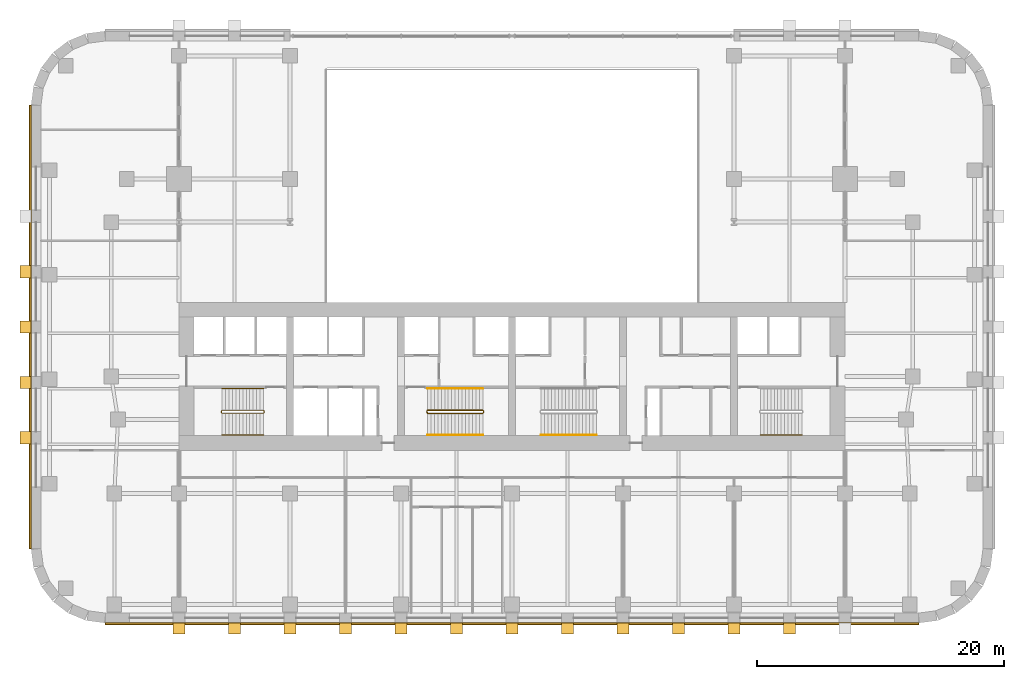
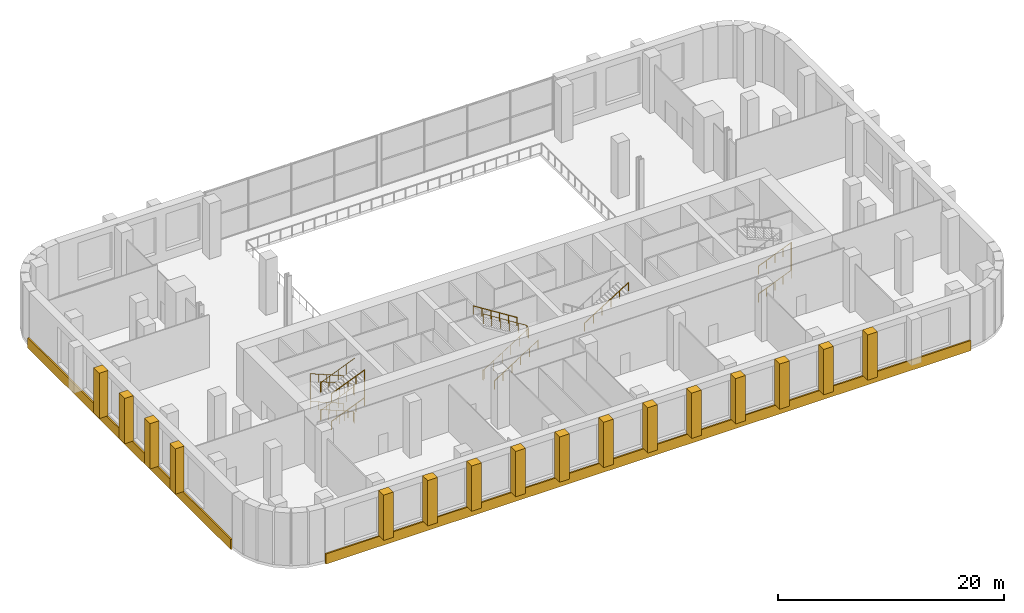
# One storey, part 10 of 13: 18 coverings, 8 railings.
"""IFC4 building model written with IfcOpenShell, lengths in metres."""

from ifc_helpers import new_model, si_unit, direction, frame, origin, origin_2d, place, context, subcontext, project, spatial, polyline, circle, outline, extrude, material, layer, layer_set, type_object, element, save


model = new_model("IFC4")

# Units and contexts
model_context = context("Model", 3, precision=1e-05, world=origin(), true_north=direction((0.0, 1.0)))
body_context = subcontext(model_context, "Body", "Model", "MODEL_VIEW")
ifc_project = project(units=[si_unit("LENGTHUNIT", "METRE"), si_unit("AREAUNIT", "SQUARE_METRE"), si_unit("VOLUMEUNIT", "CUBIC_METRE"), si_unit("PLANEANGLEUNIT", "RADIAN"), si_unit("MASSUNIT", "GRAM", prefix="KILO")], contexts=[model_context])

# Site, building, storey
site_placement = place(None, origin())
site = spatial("IfcSite", under=ifc_project, at=site_placement, CompositionType="ELEMENT")
building_placement = place(site_placement, origin())
building = spatial("IfcBuilding", under=site, at=building_placement, Name="Zellij Exchange Tower", CompositionType="ELEMENT")
storey_placement = place(building_placement, frame((0.0, 0.0, 15.0)))
storey = spatial("IfcBuildingStorey", under=building, at=storey_placement, Name="L02", CompositionType="ELEMENT", Elevation=15.0)

# Railings
ifc_material_1 = material(Name="Stainless steel", Category="steel")
railing_type_1 = type_object("IfcRailingType", Name="CORE-RG stair guard", PredefinedType="GUARDRAIL", material=ifc_material_1)
railing_1_placement = place(storey_placement, frame((-20.10009765625, -10.800048828125, 0.0)))
element("IfcRailing", 1, at=railing_1_placement, inside=storey, type_object=railing_type_1, Name="ST1 stair guard L02", PredefinedType="GUARDRAIL", context=body_context, shape_type="SweptSolid", body=[
    extrude(circle(Radius=0.02392578125, at=origin_2d()), frame((0.0, 0.0, 1.076171875), z_axis=(0.0, -1.0, 0.0), x_axis=(1.0, 0.0, 0.0)), (0.0, 0.0, 1.0), 0.14990234375),
    extrude(circle(Radius=0.02392578125, at=origin_2d()), frame((0.0, -0.14990234375, 1.076171875), z_axis=(-0.210847110147, 0.846489133385, 0.488875897547), x_axis=(-0.970351222016, -0.241699205484, 0.0)), (0.0, 0.0, 1.0), 0.236328125),
    extrude(circle(Radius=0.02392578125, at=origin_2d()), frame((-0.0498046875, 0.050048828125, 1.19140625), z_axis=(-0.924586246868, 0.0, 0.380972797064), x_axis=(0.0, -1.0, 0.0)), (0.0, 0.0, 1.0), 3.63427734375),
    extrude(circle(Radius=0.02392578125, at=origin_2d()), frame((-3.409912109375, 0.050048828125, 2.576171875), z_axis=(-0.707106781187, -0.707106781187, 0.0), x_axis=(0.707106781187, -0.707106781187, 0.0)), (0.0, 0.0, 1.0), 0.07080078125),
    extrude(circle(Radius=0.02392578125, at=origin_2d()), frame((-3.4599609375, 0.0, 2.576171875), z_axis=(0.0, -1.0, 0.0), x_axis=(1.0, 0.0, 0.0)), (0.0, 0.0, 1.0), 0.14990234375),
    extrude(circle(Radius=0.02392578125, at=origin_2d()), frame((-3.4599609375, -0.14990234375, 2.576171875), z_axis=(0.3695169537, -0.3695169537, 0.852592776099), x_axis=(0.707106781187, 0.707106781187, 0.0)), (0.0, 0.0, 1.0), 0.135498046875),
    extrude(circle(Radius=0.02392578125, at=origin_2d()), frame((-3.409912109375, -0.199951171875, 2.69140625), z_axis=(0.924586246868, 0.0, 0.380972797064), x_axis=(0.0, 1.0, 0.0)), (0.0, 0.0, 1.0), 3.63427734375),
    extrude(circle(Radius=0.02392578125, at=origin_2d()), frame((-0.0498046875, -0.199951171875, 4.076171875), z_axis=(0.241699205484, 0.970351222016, 0.0), x_axis=(-0.970351222016, 0.241699205484, 0.0)), (0.0, 0.0, 1.0), 0.2060546875),
    extrude(circle(Radius=0.02392578125, at=origin_2d()), frame((0.0, 0.0, 4.076171875), z_axis=(0.0, -1.0, 0.0), x_axis=(1.0, 0.0, 0.0)), (0.0, 0.0, 1.0), 0.14990234375),
    extrude(circle(Radius=0.02392578125, at=origin_2d()), frame((0.0, -0.14990234375, 4.076171875), z_axis=(-0.210847110147, 0.846489133385, 0.488875897547), x_axis=(-0.970351222016, -0.241699205484, 0.0)), (0.0, 0.0, 1.0), 0.236328125),
    extrude(circle(Radius=0.02392578125, at=origin_2d()), frame((-0.0498046875, 0.050048828125, 4.19140625), z_axis=(-0.924586246868, 0.0, 0.380972797064), x_axis=(0.0, -1.0, 0.0)), (0.0, 0.0, 1.0), 3.63427734375),
    extrude(circle(Radius=0.02392578125, at=origin_2d()), frame((-3.409912109375, 0.050048828125, 5.576171875), z_axis=(-0.707106781187, -0.707106781187, 0.0), x_axis=(0.707106781187, -0.707106781187, 0.0)), (0.0, 0.0, 1.0), 0.07080078125),
    extrude(circle(Radius=0.02392578125, at=origin_2d()), frame((-3.4599609375, 0.0, 5.576171875), z_axis=(0.0, -1.0, 0.0), x_axis=(1.0, 0.0, 0.0)), (0.0, 0.0, 1.0), 0.14990234375),
    extrude(circle(Radius=0.02392578125, at=origin_2d()), frame((-3.4599609375, -0.14990234375, 5.576171875), z_axis=(0.3695169537, -0.3695169537, 0.852592776099), x_axis=(0.707106781187, 0.707106781187, 0.0)), (0.0, 0.0, 1.0), 0.135498046875),
    extrude(circle(Radius=0.02392578125, at=origin_2d()), frame((-3.409912109375, -0.199951171875, 5.69140625), z_axis=(0.924586246868, 0.0, 0.380972797064), x_axis=(0.0, 1.0, 0.0)), (0.0, 0.0, 1.0), 3.63427734375),
    extrude(circle(Radius=0.02099609375, at=origin_2d()), origin(), (0.0, 0.0, 1.0), 1.052001953125),
    extrude(circle(Radius=0.02099609375, at=origin_2d()), frame((0.0, -0.14990234375, 0.0)), (0.0, 0.0, 1.0), 1.052001953125),
    extrude(circle(Radius=0.02099609375, at=origin_2d()), frame((-0.0498046875, 0.050048828125, 0.115478515625)), (0.0, 0.0, 1.0), 1.052001953125),
    extrude(circle(Radius=0.02099609375, at=origin_2d()), frame((-0.889892578125, 0.050048828125, 0.461669921875)), (0.0, 0.0, 1.0), 1.052001953125),
    extrude(circle(Radius=0.02099609375, at=origin_2d()), frame((-1.72998046875, 0.050048828125, 0.8076171875)), (0.0, 0.0, 1.0), 1.052001953125),
    extrude(circle(Radius=0.02099609375, at=origin_2d()), frame((-2.56982421875, 0.050048828125, 1.15380859375)), (0.0, 0.0, 1.0), 1.052001953125),
    extrude(circle(Radius=0.02099609375, at=origin_2d()), frame((-3.409912109375, 0.050048828125, 1.5)), (0.0, 0.0, 1.0), 1.052001953125),
    extrude(circle(Radius=0.02099609375, at=origin_2d()), frame((-3.4599609375, 0.0, 1.5)), (0.0, 0.0, 1.0), 1.052001953125),
    extrude(circle(Radius=0.02099609375, at=origin_2d()), frame((-3.4599609375, -0.14990234375, 1.5)), (0.0, 0.0, 1.0), 1.052001953125),
    extrude(circle(Radius=0.02099609375, at=origin_2d()), frame((-3.409912109375, -0.199951171875, 1.615478515625)), (0.0, 0.0, 1.0), 1.052001953125),
    extrude(circle(Radius=0.02099609375, at=origin_2d()), frame((-2.56982421875, -0.199951171875, 1.961669921875)), (0.0, 0.0, 1.0), 1.052001953125),
    extrude(circle(Radius=0.02099609375, at=origin_2d()), frame((-1.72998046875, -0.199951171875, 2.3076171875)), (0.0, 0.0, 1.0), 1.052001953125),
    extrude(circle(Radius=0.02099609375, at=origin_2d()), frame((-0.889892578125, -0.199951171875, 2.65380859375)), (0.0, 0.0, 1.0), 1.052001953125),
    extrude(circle(Radius=0.02099609375, at=origin_2d()), frame((-0.0498046875, -0.199951171875, 3.0)), (0.0, 0.0, 1.0), 1.052001953125),
    extrude(circle(Radius=0.02099609375, at=origin_2d()), frame((0.0, 0.0, 3.0)), (0.0, 0.0, 1.0), 1.052001953125),
    extrude(circle(Radius=0.02099609375, at=origin_2d()), frame((0.0, -0.14990234375, 3.0)), (0.0, 0.0, 1.0), 1.052001953125),
    extrude(circle(Radius=0.02099609375, at=origin_2d()), frame((-0.0498046875, 0.050048828125, 3.115478515625)), (0.0, 0.0, 1.0), 1.052001953125),
    extrude(circle(Radius=0.02099609375, at=origin_2d()), frame((-0.889892578125, 0.050048828125, 3.461669921875)), (0.0, 0.0, 1.0), 1.052001953125),
    extrude(circle(Radius=0.02099609375, at=origin_2d()), frame((-1.72998046875, 0.050048828125, 3.8076171875)), (0.0, 0.0, 1.0), 1.052001953125),
    extrude(circle(Radius=0.02099609375, at=origin_2d()), frame((-2.56982421875, 0.050048828125, 4.15380859375)), (0.0, 0.0, 1.0), 1.052001953125),
    extrude(circle(Radius=0.02099609375, at=origin_2d()), frame((-3.409912109375, 0.050048828125, 4.5)), (0.0, 0.0, 1.0), 1.052001953125),
    extrude(circle(Radius=0.02099609375, at=origin_2d()), frame((-3.4599609375, 0.0, 4.5)), (0.0, 0.0, 1.0), 1.052001953125),
    extrude(circle(Radius=0.02099609375, at=origin_2d()), frame((-3.4599609375, -0.14990234375, 4.5)), (0.0, 0.0, 1.0), 1.052001953125),
    extrude(circle(Radius=0.02099609375, at=origin_2d()), frame((-3.409912109375, -0.199951171875, 4.615478515625)), (0.0, 0.0, 1.0), 1.052001953125),
    extrude(circle(Radius=0.02099609375, at=origin_2d()), frame((-2.56982421875, -0.199951171875, 4.961669921875)), (0.0, 0.0, 1.0), 1.052001953125),
    extrude(circle(Radius=0.02099609375, at=origin_2d()), frame((-1.72998046875, -0.199951171875, 5.3076171875)), (0.0, 0.0, 1.0), 1.052001953125),
    extrude(circle(Radius=0.02099609375, at=origin_2d()), frame((-0.889892578125, -0.199951171875, 5.65380859375)), (0.0, 0.0, 1.0), 1.052001953125),
    extrude(circle(Radius=0.02099609375, at=origin_2d()), frame((-0.0498046875, -0.199951171875, 6.0)), (0.0, 0.0, 1.0), 1.052001953125),
])
railing_2_placement = place(storey_placement, frame((-6.89990234375, -10.949951171875, 0.0)))
element("IfcRailing", 2, at=railing_2_placement, inside=storey, type_object=railing_type_1, Name="ST2 stair guard L02", PredefinedType="GUARDRAIL", context=body_context, shape_type="SweptSolid", body=[
    extrude(circle(Radius=0.02392578125, at=origin_2d()), frame((0.0, 0.0, 1.076171875), z_axis=(0.0, 1.0, 0.0), x_axis=(-1.0, 0.0, 0.0)), (0.0, 0.0, 1.0), 0.14990234375),
    extrude(circle(Radius=0.02392578125, at=origin_2d()), frame((0.0, 0.14990234375, 1.076171875), z_axis=(0.183560001127, -0.736939416289, 0.650558239288), x_axis=(0.970351222016, 0.241699205484, 0.0)), (0.0, 0.0, 1.0), 0.271240234375),
    extrude(circle(Radius=0.02392578125, at=origin_2d()), frame((0.0498046875, -0.050048828125, 1.25244140625), z_axis=(0.845997938375, 0.0, 0.533186166611), x_axis=(0.0, 1.0, 0.0)), (0.0, 0.0, 1.0), 5.29541015625),
    extrude(circle(Radius=0.02392578125, at=origin_2d()), frame((4.52978515625, -0.050048828125, 4.076171875), z_axis=(0.707106781187, 0.707106781187, 0.0), x_axis=(-0.707106781187, 0.707106781187, 0.0)), (0.0, 0.0, 1.0), 0.07080078125),
    extrude(circle(Radius=0.02392578125, at=origin_2d()), frame((4.579833984375, 0.0, 4.076171875), z_axis=(0.0, 1.0, 0.0), x_axis=(-1.0, 0.0, 0.0)), (0.0, 0.0, 1.0), 0.14990234375),
    extrude(circle(Radius=0.02392578125, at=origin_2d()), frame((4.579833984375, 0.14990234375, 4.076171875), z_axis=(-0.263171338983, 0.263171338983, 0.928160380902), x_axis=(-0.707106781187, -0.707106781187, 0.0)), (0.0, 0.0, 1.0), 0.190185546875),
    extrude(circle(Radius=0.02392578125, at=origin_2d()), frame((4.52978515625, 0.199951171875, 4.25244140625), z_axis=(-0.845997938375, 0.0, 0.533186166611), x_axis=(0.0, -1.0, 0.0)), (0.0, 0.0, 1.0), 5.29541015625),
    extrude(circle(Radius=0.02099609375, at=origin_2d()), origin(), (0.0, 0.0, 1.0), 1.052001953125),
    extrude(circle(Radius=0.02099609375, at=origin_2d()), frame((0.0, 0.14990234375, 0.0)), (0.0, 0.0, 1.0), 1.052001953125),
    extrude(circle(Radius=0.02099609375, at=origin_2d()), frame((0.0498046875, -0.050048828125, 0.176513671875)), (0.0, 0.0, 1.0), 1.052001953125),
    extrude(circle(Radius=0.02099609375, at=origin_2d()), frame((0.94580078125, -0.050048828125, 0.7412109375)), (0.0, 0.0, 1.0), 1.052001953125),
    extrude(circle(Radius=0.02099609375, at=origin_2d()), frame((1.841796875, -0.050048828125, 1.305908203125)), (0.0, 0.0, 1.0), 1.052001953125),
    extrude(circle(Radius=0.02099609375, at=origin_2d()), frame((2.73779296875, -0.050048828125, 1.87060546875)), (0.0, 0.0, 1.0), 1.052001953125),
    extrude(circle(Radius=0.02099609375, at=origin_2d()), frame((3.6337890625, -0.050048828125, 2.435302734375)), (0.0, 0.0, 1.0), 1.052001953125),
    extrude(circle(Radius=0.02099609375, at=origin_2d()), frame((4.52978515625, -0.050048828125, 3.0)), (0.0, 0.0, 1.0), 1.052001953125),
    extrude(circle(Radius=0.02099609375, at=origin_2d()), frame((4.579833984375, 0.0, 3.0)), (0.0, 0.0, 1.0), 1.052001953125),
    extrude(circle(Radius=0.02099609375, at=origin_2d()), frame((4.579833984375, 0.14990234375, 3.0)), (0.0, 0.0, 1.0), 1.052001953125),
    extrude(circle(Radius=0.02099609375, at=origin_2d()), frame((4.52978515625, 0.199951171875, 3.176513671875)), (0.0, 0.0, 1.0), 1.052001953125),
    extrude(circle(Radius=0.02099609375, at=origin_2d()), frame((3.6337890625, 0.199951171875, 3.7412109375)), (0.0, 0.0, 1.0), 1.052001953125),
    extrude(circle(Radius=0.02099609375, at=origin_2d()), frame((2.73779296875, 0.199951171875, 4.305908203125)), (0.0, 0.0, 1.0), 1.052001953125),
    extrude(circle(Radius=0.02099609375, at=origin_2d()), frame((1.841796875, 0.199951171875, 4.87060546875)), (0.0, 0.0, 1.0), 1.052001953125),
    extrude(circle(Radius=0.02099609375, at=origin_2d()), frame((0.94580078125, 0.199951171875, 5.435302734375)), (0.0, 0.0, 1.0), 1.052001953125),
    extrude(circle(Radius=0.02099609375, at=origin_2d()), frame((0.0498046875, 0.199951171875, 6.0)), (0.0, 0.0, 1.0), 1.052001953125),
])
railing_type_2 = type_object("IfcRailingType", Name="CORE-RH stair handrail", PredefinedType="HANDRAIL", material=ifc_material_1)
railing_3_placement = place(storey_placement, frame((-20.14990234375, -9.0, 0.115478515625)))
element("IfcRailing", 3, at=railing_3_placement, inside=storey, type_object=railing_type_2, Name="ST1 stair handrail L02", PredefinedType="HANDRAIL", context=body_context, shape_type="SweptSolid", body=[
    extrude(circle(Radius=0.02392578125, at=origin_2d()), frame((0.0, 0.0, 0.8759765625), z_axis=(-0.924586246868, 0.0, 0.380972797064), x_axis=(0.0, -1.0, 0.0)), (0.0, 0.0, 1.0), 3.63427734375),
    extrude(circle(Radius=0.02392578125, at=origin_2d()), frame((-3.360107421875, 0.0, 2.26025390625), z_axis=(0.0, 0.0, 1.0), x_axis=(1.0, 0.0, 0.0)), (0.0, 0.0, 1.0), 3.0),
    extrude(circle(Radius=0.02392578125, at=origin_2d()), frame((-3.360107421875, 0.0, 5.26025390625), z_axis=(0.924586246868, 0.0, -0.380972797064), x_axis=(0.0, 1.0, 0.0)), (0.0, 0.0, 1.0), 3.63427734375),
    extrude(circle(Radius=0.02099609375, at=origin_2d()), origin(), (0.0, 0.0, 1.0), 0.851806640625),
    extrude(circle(Radius=0.02099609375, at=origin_2d()), frame((-0.840087890625, 0.0, 0.34619140625)), (0.0, 0.0, 1.0), 0.851806640625),
    extrude(circle(Radius=0.02099609375, at=origin_2d()), frame((-1.68017578125, 0.0, 0.6923828125)), (0.0, 0.0, 1.0), 0.851806640625),
    extrude(circle(Radius=0.02099609375, at=origin_2d()), frame((-2.52001953125, 0.0, 1.038330078125)), (0.0, 0.0, 1.0), 0.851806640625),
    extrude(circle(Radius=0.02099609375, at=origin_2d()), frame((-3.360107421875, 0.0, 1.384521484375)), (0.0, 0.0, 1.0), 0.851806640625),
    extrude(circle(Radius=0.02099609375, at=origin_2d()), frame((-3.360107421875, 0.0, 2.384521484375)), (0.0, 0.0, 1.0), 0.851806640625),
    extrude(circle(Radius=0.02099609375, at=origin_2d()), frame((-3.360107421875, 0.0, 3.384521484375)), (0.0, 0.0, 1.0), 0.851806640625),
    extrude(circle(Radius=0.02099609375, at=origin_2d()), frame((-3.360107421875, 0.0, 4.384521484375)), (0.0, 0.0, 1.0), 0.851806640625),
    extrude(circle(Radius=0.02099609375, at=origin_2d()), frame((-2.52001953125, 0.0, 4.038330078125)), (0.0, 0.0, 1.0), 0.851806640625),
    extrude(circle(Radius=0.02099609375, at=origin_2d()), frame((-1.68017578125, 0.0, 3.6923828125)), (0.0, 0.0, 1.0), 0.851806640625),
    extrude(circle(Radius=0.02099609375, at=origin_2d()), frame((-0.840087890625, 0.0, 3.34619140625)), (0.0, 0.0, 1.0), 0.851806640625),
    extrude(circle(Radius=0.02099609375, at=origin_2d()), frame((0.0, 0.0, 3.0)), (0.0, 0.0, 1.0), 0.851806640625),
])
railing_4_placement = place(storey_placement, frame((-23.510009765625, -12.75, 1.615478515625)))
element("IfcRailing", 4, at=railing_4_placement, inside=storey, type_object=railing_type_2, Name="ST1 stair handrail L02", PredefinedType="HANDRAIL", context=body_context, shape_type="SweptSolid", body=[
    extrude(circle(Radius=0.02392578125, at=origin_2d()), frame((0.0, 0.0, 0.8759765625), z_axis=(0.924586246868, 0.0, 0.380972797064), x_axis=(0.0, 1.0, 0.0)), (0.0, 0.0, 1.0), 3.63427734375),
    extrude(circle(Radius=0.02392578125, at=origin_2d()), frame((3.360107421875, 0.0, 2.26025390625), z_axis=(0.0, 0.0, 1.0), x_axis=(1.0, 0.0, 0.0)), (0.0, 0.0, 1.0), 3.0),
    extrude(circle(Radius=0.02392578125, at=origin_2d()), frame((3.360107421875, 0.0, 5.26025390625), z_axis=(-0.924586246868, 0.0, -0.380972797064), x_axis=(0.0, -1.0, 0.0)), (0.0, 0.0, 1.0), 3.63427734375),
    extrude(circle(Radius=0.02099609375, at=origin_2d()), origin(), (0.0, 0.0, 1.0), 0.851806640625),
    extrude(circle(Radius=0.02099609375, at=origin_2d()), frame((0.840087890625, 0.0, 0.34619140625)), (0.0, 0.0, 1.0), 0.851806640625),
    extrude(circle(Radius=0.02099609375, at=origin_2d()), frame((1.68017578125, 0.0, 0.6923828125)), (0.0, 0.0, 1.0), 0.851806640625),
    extrude(circle(Radius=0.02099609375, at=origin_2d()), frame((2.52001953125, 0.0, 1.038330078125)), (0.0, 0.0, 1.0), 0.851806640625),
    extrude(circle(Radius=0.02099609375, at=origin_2d()), frame((3.360107421875, 0.0, 1.384521484375)), (0.0, 0.0, 1.0), 0.851806640625),
    extrude(circle(Radius=0.02099609375, at=origin_2d()), frame((3.360107421875, 0.0, 2.384521484375)), (0.0, 0.0, 1.0), 0.851806640625),
    extrude(circle(Radius=0.02099609375, at=origin_2d()), frame((3.360107421875, 0.0, 3.384521484375)), (0.0, 0.0, 1.0), 0.851806640625),
    extrude(circle(Radius=0.02099609375, at=origin_2d()), frame((3.360107421875, 0.0, 4.384521484375)), (0.0, 0.0, 1.0), 0.851806640625),
    extrude(circle(Radius=0.02099609375, at=origin_2d()), frame((2.52001953125, 0.0, 4.038330078125)), (0.0, 0.0, 1.0), 0.851806640625),
    extrude(circle(Radius=0.02099609375, at=origin_2d()), frame((1.68017578125, 0.0, 3.6923828125)), (0.0, 0.0, 1.0), 0.851806640625),
    extrude(circle(Radius=0.02099609375, at=origin_2d()), frame((0.840087890625, 0.0, 3.34619140625)), (0.0, 0.0, 1.0), 0.851806640625),
    extrude(circle(Radius=0.02099609375, at=origin_2d()), frame((0.0, 0.0, 3.0)), (0.0, 0.0, 1.0), 0.851806640625),
])
railing_5_placement = place(storey_placement, frame((-6.85009765625, -12.75, 0.176513671875)))
element("IfcRailing", 5, at=railing_5_placement, inside=storey, type_object=railing_type_2, Name="ST2 stair handrail L02", PredefinedType="HANDRAIL", context=body_context, shape_type="SweptSolid", body=[
    extrude(circle(Radius=0.02392578125, at=origin_2d()), frame((0.0, 0.0, 0.8759765625), z_axis=(0.845997938375, 0.0, 0.533186166611), x_axis=(0.0, 1.0, 0.0)), (0.0, 0.0, 1.0), 5.29541015625),
    extrude(circle(Radius=0.02099609375, at=origin_2d()), origin(), (0.0, 0.0, 1.0), 0.851806640625),
    extrude(circle(Radius=0.02099609375, at=origin_2d()), frame((0.89599609375, 0.0, 0.564697265625)), (0.0, 0.0, 1.0), 0.851806640625),
    extrude(circle(Radius=0.02099609375, at=origin_2d()), frame((1.7919921875, 0.0, 1.12939453125)), (0.0, 0.0, 1.0), 0.851806640625),
    extrude(circle(Radius=0.02099609375, at=origin_2d()), frame((2.68798828125, 0.0, 1.694091796875)), (0.0, 0.0, 1.0), 0.851806640625),
    extrude(circle(Radius=0.02099609375, at=origin_2d()), frame((3.583984375, 0.0, 2.2587890625)), (0.0, 0.0, 1.0), 0.851806640625),
    extrude(circle(Radius=0.02099609375, at=origin_2d()), frame((4.47998046875, 0.0, 2.823486328125)), (0.0, 0.0, 1.0), 0.851806640625),
])
railing_6_placement = place(storey_placement, frame((-2.3701171875, -9.0, 3.176513671875)))
element("IfcRailing", 6, at=railing_6_placement, inside=storey, type_object=railing_type_2, Name="ST2 stair handrail L02", PredefinedType="HANDRAIL", context=body_context, shape_type="SweptSolid", body=[
    extrude(circle(Radius=0.02392578125, at=origin_2d()), frame((0.0, 0.0, 0.8759765625), z_axis=(-0.845997938375, 0.0, 0.533186166611), x_axis=(0.0, -1.0, 0.0)), (0.0, 0.0, 1.0), 5.29541015625),
    extrude(circle(Radius=0.02099609375, at=origin_2d()), origin(), (0.0, 0.0, 1.0), 0.851806640625),
    extrude(circle(Radius=0.02099609375, at=origin_2d()), frame((-0.89599609375, 0.0, 0.564697265625)), (0.0, 0.0, 1.0), 0.851806640625),
    extrude(circle(Radius=0.02099609375, at=origin_2d()), frame((-1.7919921875, 0.0, 1.12939453125)), (0.0, 0.0, 1.0), 0.851806640625),
    extrude(circle(Radius=0.02099609375, at=origin_2d()), frame((-2.68798828125, 0.0, 1.694091796875)), (0.0, 0.0, 1.0), 0.851806640625),
    extrude(circle(Radius=0.02099609375, at=origin_2d()), frame((-3.583984375, 0.0, 2.2587890625)), (0.0, 0.0, 1.0), 0.851806640625),
    extrude(circle(Radius=0.02099609375, at=origin_2d()), frame((-4.47998046875, 0.0, 2.823486328125)), (0.0, 0.0, 1.0), 0.851806640625),
])
railing_7_placement = place(storey_placement, frame((2.3701171875, -12.75, 3.176513671875)))
element("IfcRailing", 7, at=railing_7_placement, inside=storey, type_object=railing_type_2, Name="ST3 stair handrail L02", PredefinedType="HANDRAIL", context=body_context, shape_type="SweptSolid", body=[
    extrude(circle(Radius=0.02392578125, at=origin_2d()), frame((0.0, 0.0, 0.8759765625), z_axis=(0.845997938375, 0.0, 0.533186166611), x_axis=(0.0, 1.0, 0.0)), (0.0, 0.0, 1.0), 5.29541015625),
    extrude(circle(Radius=0.02099609375, at=origin_2d()), origin(), (0.0, 0.0, 1.0), 0.851806640625),
    extrude(circle(Radius=0.02099609375, at=origin_2d()), frame((0.89599609375, 0.0, 0.564697265625)), (0.0, 0.0, 1.0), 0.851806640625),
    extrude(circle(Radius=0.02099609375, at=origin_2d()), frame((1.7919921875, 0.0, 1.12939453125)), (0.0, 0.0, 1.0), 0.851806640625),
    extrude(circle(Radius=0.02099609375, at=origin_2d()), frame((2.68798828125, 0.0, 1.694091796875)), (0.0, 0.0, 1.0), 0.851806640625),
    extrude(circle(Radius=0.02099609375, at=origin_2d()), frame((3.583984375, 0.0, 2.2587890625)), (0.0, 0.0, 1.0), 0.851806640625),
    extrude(circle(Radius=0.02099609375, at=origin_2d()), frame((4.47998046875, 0.0, 2.823486328125)), (0.0, 0.0, 1.0), 0.851806640625),
])
railing_8_placement = place(storey_placement, frame((20.14990234375, -12.75, 0.115478515625)))
element("IfcRailing", 8, at=railing_8_placement, inside=storey, type_object=railing_type_2, Name="ST4 stair handrail L02", PredefinedType="HANDRAIL", context=body_context, shape_type="SweptSolid", body=[
    extrude(circle(Radius=0.02392578125, at=origin_2d()), frame((0.0, 0.0, 0.8759765625), z_axis=(0.924586246868, 0.0, 0.380972797064), x_axis=(0.0, 1.0, 0.0)), (0.0, 0.0, 1.0), 3.63427734375),
    extrude(circle(Radius=0.02392578125, at=origin_2d()), frame((3.360107421875, 0.0, 2.26025390625), z_axis=(0.0, 0.0, 1.0), x_axis=(1.0, 0.0, 0.0)), (0.0, 0.0, 1.0), 3.0),
    extrude(circle(Radius=0.02392578125, at=origin_2d()), frame((3.360107421875, 0.0, 5.26025390625), z_axis=(-0.924586246868, 0.0, -0.380972797064), x_axis=(0.0, -1.0, 0.0)), (0.0, 0.0, 1.0), 3.63427734375),
    extrude(circle(Radius=0.02099609375, at=origin_2d()), origin(), (0.0, 0.0, 1.0), 0.851806640625),
    extrude(circle(Radius=0.02099609375, at=origin_2d()), frame((0.840087890625, 0.0, 0.34619140625)), (0.0, 0.0, 1.0), 0.851806640625),
    extrude(circle(Radius=0.02099609375, at=origin_2d()), frame((1.68017578125, 0.0, 0.6923828125)), (0.0, 0.0, 1.0), 0.851806640625),
    extrude(circle(Radius=0.02099609375, at=origin_2d()), frame((2.52001953125, 0.0, 1.038330078125)), (0.0, 0.0, 1.0), 0.851806640625),
    extrude(circle(Radius=0.02099609375, at=origin_2d()), frame((3.360107421875, 0.0, 1.384521484375)), (0.0, 0.0, 1.0), 0.851806640625),
    extrude(circle(Radius=0.02099609375, at=origin_2d()), frame((3.360107421875, 0.0, 2.384521484375)), (0.0, 0.0, 1.0), 0.851806640625),
    extrude(circle(Radius=0.02099609375, at=origin_2d()), frame((3.360107421875, 0.0, 3.384521484375)), (0.0, 0.0, 1.0), 0.851806640625),
    extrude(circle(Radius=0.02099609375, at=origin_2d()), frame((3.360107421875, 0.0, 4.384521484375)), (0.0, 0.0, 1.0), 0.851806640625),
    extrude(circle(Radius=0.02099609375, at=origin_2d()), frame((2.52001953125, 0.0, 4.038330078125)), (0.0, 0.0, 1.0), 0.851806640625),
    extrude(circle(Radius=0.02099609375, at=origin_2d()), frame((1.68017578125, 0.0, 3.6923828125)), (0.0, 0.0, 1.0), 0.851806640625),
    extrude(circle(Radius=0.02099609375, at=origin_2d()), frame((0.840087890625, 0.0, 3.34619140625)), (0.0, 0.0, 1.0), 0.851806640625),
    extrude(circle(Radius=0.02099609375, at=origin_2d()), frame((0.0, 0.0, 3.0)), (0.0, 0.0, 1.0), 0.851806640625),
])

# Coverings
ifc_material_2 = material(Name="Limestone cladding", Category="masonry")
ifc_layer = layer(ifc_material_2, 0.14990234375)
ifc_layer_set = layer_set([ifc_layer], Name="Limestone cladding")
covering_type_1 = type_object("IfcCoveringType", Name="ENV-CV1 Stone spandrel band 150", PredefinedType="CLADDING", material=ifc_layer_set)
covering_1_placement = place(storey_placement, frame((0.0, 0.0, -0.300048828125)))
element("IfcCovering", 9, at=covering_1_placement, inside=storey, type_object=covering_type_1, Name="Stone spandrel band", PredefinedType="CLADDING", context=body_context, shape_type="SweptSolid", body=[
    extrude(outline(polyline([(-32.973876953125, -28.0), (32.973876953125, -28.0), (32.983642578125, -28.14990234375), (-32.983642578125, -28.14990234375), (-32.973876953125, -28.0)])), origin(), (0.0, 0.0, 1.0), 1.10009765625),
])
covering_2_placement = place(storey_placement, frame((0.0, 0.0, -0.300048828125)))
element("IfcCovering", 10, at=covering_2_placement, inside=storey, type_object=covering_type_1, Name="Stone spandrel band", PredefinedType="CLADDING", context=body_context, shape_type="SweptSolid", body=[
    extrude(outline(polyline([(-39.0, 13.973876953125), (-39.0, -21.973876953125), (-39.14990234375, -21.983642578125), (-39.14990234375, 13.983642578125), (-39.0, 13.973876953125)])), origin(), (0.0, 0.0, 1.0), 1.10009765625),
])
covering_type_2 = type_object("IfcCoveringType", Name="ENV-CV2 Stone pier 1000x900", PredefinedType="CLADDING", material=ifc_material_2)
covering_3_placement = place(storey_placement, frame((0.0, 0.0, 0.800048828125)))
element("IfcCovering", 11, at=covering_3_placement, inside=storey, type_object=covering_type_2, Name="Stone pier", PredefinedType="CLADDING", context=body_context, shape_type="SweptSolid", body=[
    extrude(outline(polyline([(-27.5, -28.0), (-26.5, -28.0), (-26.5, -28.89990234375), (-27.5, -28.89990234375), (-27.5, -28.0)])), origin(), (0.0, 0.0, 1.0), 4.89990234375),
])
covering_4_placement = place(storey_placement, frame((0.0, 0.0, 0.800048828125)))
element("IfcCovering", 12, at=covering_4_placement, inside=storey, type_object=covering_type_2, Name="Stone pier", PredefinedType="CLADDING", context=body_context, shape_type="SweptSolid", body=[
    extrude(outline(polyline([(-23.0, -28.0), (-22.0, -28.0), (-22.0, -28.89990234375), (-23.0, -28.89990234375), (-23.0, -28.0)])), origin(), (0.0, 0.0, 1.0), 4.89990234375),
])
covering_5_placement = place(storey_placement, frame((0.0, 0.0, 0.800048828125)))
element("IfcCovering", 13, at=covering_5_placement, inside=storey, type_object=covering_type_2, Name="Stone pier", PredefinedType="CLADDING", context=body_context, shape_type="SweptSolid", body=[
    extrude(outline(polyline([(-18.5, -28.0), (-17.5, -28.0), (-17.5, -28.89990234375), (-18.5, -28.89990234375), (-18.5, -28.0)])), origin(), (0.0, 0.0, 1.0), 4.89990234375),
])
covering_6_placement = place(storey_placement, frame((0.0, 0.0, 0.800048828125)))
element("IfcCovering", 14, at=covering_6_placement, inside=storey, type_object=covering_type_2, Name="Stone pier", PredefinedType="CLADDING", context=body_context, shape_type="SweptSolid", body=[
    extrude(outline(polyline([(-14.0, -28.0), (-13.0, -28.0), (-13.0, -28.89990234375), (-14.0, -28.89990234375), (-14.0, -28.0)])), origin(), (0.0, 0.0, 1.0), 4.89990234375),
])
covering_7_placement = place(storey_placement, frame((0.0, 0.0, 0.800048828125)))
element("IfcCovering", 15, at=covering_7_placement, inside=storey, type_object=covering_type_2, Name="Stone pier", PredefinedType="CLADDING", context=body_context, shape_type="SweptSolid", body=[
    extrude(outline(polyline([(-9.5, -28.0), (-8.5, -28.0), (-8.5, -28.89990234375), (-9.5, -28.89990234375), (-9.5, -28.0)])), origin(), (0.0, 0.0, 1.0), 4.89990234375),
])
covering_8_placement = place(storey_placement, frame((0.0, 0.0, 0.800048828125)))
element("IfcCovering", 16, at=covering_8_placement, inside=storey, type_object=covering_type_2, Name="Stone pier", PredefinedType="CLADDING", context=body_context, shape_type="SweptSolid", body=[
    extrude(outline(polyline([(-5.0, -28.0), (-4.0, -28.0), (-4.0, -28.89990234375), (-5.0, -28.89990234375), (-5.0, -28.0)])), origin(), (0.0, 0.0, 1.0), 4.89990234375),
])
covering_9_placement = place(storey_placement, frame((0.0, 0.0, 0.800048828125)))
element("IfcCovering", 17, at=covering_9_placement, inside=storey, type_object=covering_type_2, Name="Stone pier", PredefinedType="CLADDING", context=body_context, shape_type="SweptSolid", body=[
    extrude(outline(polyline([(-0.5, -28.0), (0.5, -28.0), (0.5, -28.89990234375), (-0.5, -28.89990234375), (-0.5, -28.0)])), origin(), (0.0, 0.0, 1.0), 4.89990234375),
])
covering_10_placement = place(storey_placement, frame((0.0, 0.0, 0.800048828125)))
element("IfcCovering", 18, at=covering_10_placement, inside=storey, type_object=covering_type_2, Name="Stone pier", PredefinedType="CLADDING", context=body_context, shape_type="SweptSolid", body=[
    extrude(outline(polyline([(4.0, -28.0), (5.0, -28.0), (5.0, -28.89990234375), (4.0, -28.89990234375), (4.0, -28.0)])), origin(), (0.0, 0.0, 1.0), 4.89990234375),
])
covering_11_placement = place(storey_placement, frame((0.0, 0.0, 0.800048828125)))
element("IfcCovering", 19, at=covering_11_placement, inside=storey, type_object=covering_type_2, Name="Stone pier", PredefinedType="CLADDING", context=body_context, shape_type="SweptSolid", body=[
    extrude(outline(polyline([(8.5, -28.0), (9.5, -28.0), (9.5, -28.89990234375), (8.5, -28.89990234375), (8.5, -28.0)])), origin(), (0.0, 0.0, 1.0), 4.89990234375),
])
covering_12_placement = place(storey_placement, frame((0.0, 0.0, 0.800048828125)))
element("IfcCovering", 20, at=covering_12_placement, inside=storey, type_object=covering_type_2, Name="Stone pier", PredefinedType="CLADDING", context=body_context, shape_type="SweptSolid", body=[
    extrude(outline(polyline([(13.0, -28.0), (14.0, -28.0), (14.0, -28.89990234375), (13.0, -28.89990234375), (13.0, -28.0)])), origin(), (0.0, 0.0, 1.0), 4.89990234375),
])
covering_13_placement = place(storey_placement, frame((0.0, 0.0, 0.800048828125)))
element("IfcCovering", 21, at=covering_13_placement, inside=storey, type_object=covering_type_2, Name="Stone pier", PredefinedType="CLADDING", context=body_context, shape_type="SweptSolid", body=[
    extrude(outline(polyline([(17.5, -28.0), (18.5, -28.0), (18.5, -28.89990234375), (17.5, -28.89990234375), (17.5, -28.0)])), origin(), (0.0, 0.0, 1.0), 4.89990234375),
])
covering_14_placement = place(storey_placement, frame((0.0, 0.0, 0.800048828125)))
element("IfcCovering", 22, at=covering_14_placement, inside=storey, type_object=covering_type_2, Name="Stone pier", PredefinedType="CLADDING", context=body_context, shape_type="SweptSolid", body=[
    extrude(outline(polyline([(22.0, -28.0), (23.0, -28.0), (23.0, -28.89990234375), (22.0, -28.89990234375), (22.0, -28.0)])), origin(), (0.0, 0.0, 1.0), 4.89990234375),
])
covering_15_placement = place(storey_placement, frame((0.0, 0.0, 0.800048828125)))
element("IfcCovering", 23, at=covering_15_placement, inside=storey, type_object=covering_type_2, Name="Stone pier", PredefinedType="CLADDING", context=body_context, shape_type="SweptSolid", body=[
    extrude(outline(polyline([(-39.0, 0.993408203125), (-39.0, -0.006591796875), (-39.89990234375, -0.006591796875), (-39.89990234375, 0.993408203125), (-39.0, 0.993408203125)])), origin(), (0.0, 0.0, 1.0), 4.89990234375),
])
covering_16_placement = place(storey_placement, frame((0.0, 0.0, 0.800048828125)))
element("IfcCovering", 24, at=covering_16_placement, inside=storey, type_object=covering_type_2, Name="Stone pier", PredefinedType="CLADDING", context=body_context, shape_type="SweptSolid", body=[
    extrude(outline(polyline([(-39.0, -3.5), (-39.0, -4.5), (-39.89990234375, -4.5), (-39.89990234375, -3.5), (-39.0, -3.5)])), origin(), (0.0, 0.0, 1.0), 4.89990234375),
])
covering_17_placement = place(storey_placement, frame((0.0, 0.0, 0.800048828125)))
element("IfcCovering", 25, at=covering_17_placement, inside=storey, type_object=covering_type_2, Name="Stone pier", PredefinedType="CLADDING", context=body_context, shape_type="SweptSolid", body=[
    extrude(outline(polyline([(-39.0, -7.993408203125), (-39.0, -8.993408203125), (-39.89990234375, -8.993408203125), (-39.89990234375, -7.993408203125), (-39.0, -7.993408203125)])), origin(), (0.0, 0.0, 1.0), 4.89990234375),
])
covering_18_placement = place(storey_placement, frame((0.0, 0.0, 0.800048828125)))
element("IfcCovering", 26, at=covering_18_placement, inside=storey, type_object=covering_type_2, Name="Stone pier", PredefinedType="CLADDING", context=body_context, shape_type="SweptSolid", body=[
    extrude(outline(polyline([(-39.0, -12.48681640625), (-39.0, -13.48681640625), (-39.89990234375, -13.48681640625), (-39.89990234375, -12.48681640625), (-39.0, -12.48681640625)])), origin(), (0.0, 0.0, 1.0), 4.89990234375),
])

save(model, "model.ifc")
